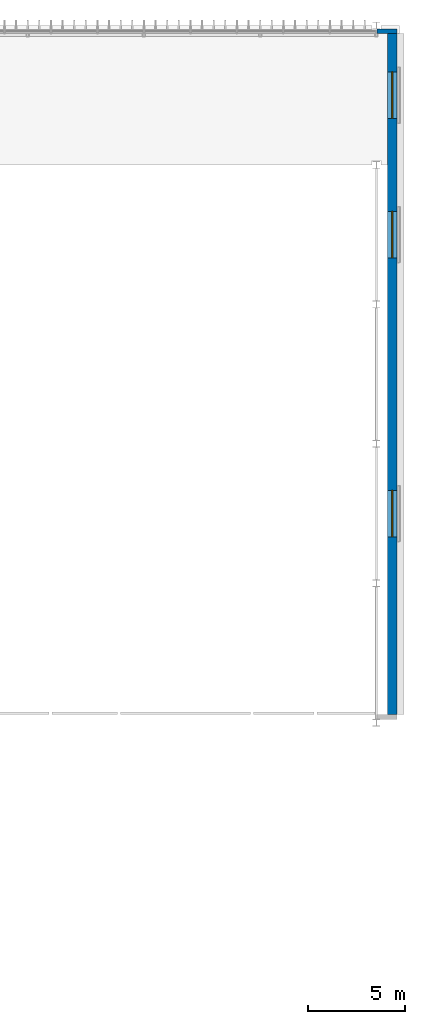
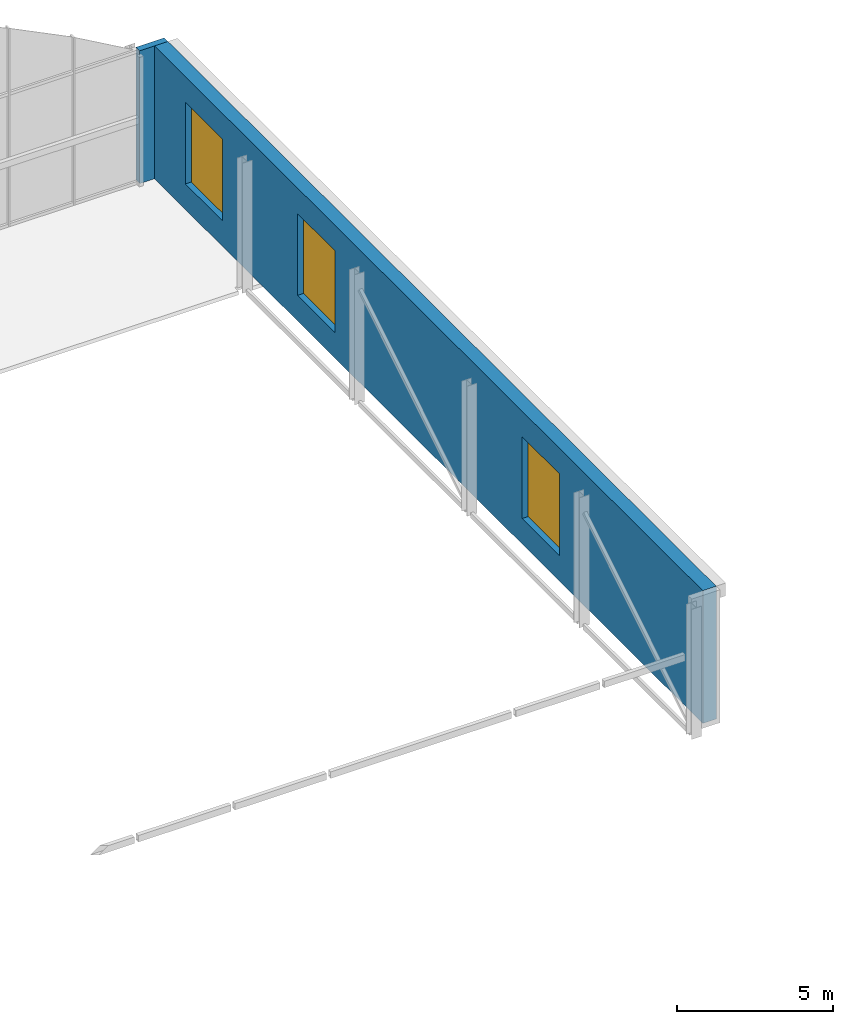
# One storey, part 59 of 93: 3 windows, 2 walls, 3 openings.
"""IFC4 building model written with IfcOpenShell, lengths in metres."""

import ifcopenshell
import ifcopenshell.guid

model = None  # the IFC model being written
_history = None  # IfcOwnerHistory: only IFC2X3 demands one
_inside = {}  # id of a spatial element -> (the spatial element, [elements in it])
_under = {}  # id of a project, library or spatial element -> (it, [spatial elements below it])
_declared = {}  # id of a project -> (the project, [libraries it declares])
_typed = {}  # id of a type object -> (the type object, [elements of that type])
_made_of = {}  # id of a material, layer set ... -> (it, [elements and type objects made of it])


def new_model(schema):
    """Start an empty IFC model of exactly this schema.

    Asked for "IFC4X3", IfcOpenShell would pick the latest addendum, in which some entities
    have other attributes; the version numbers below select the first issue.
    IFC2X3 requires an IfcOwnerHistory on every rooted entity: one is made here for all.
    """
    global model, _history
    if schema == "IFC4X3":
        model = ifcopenshell.file(schema_version=(4, 3, 0, 0))
    else:
        model = ifcopenshell.file(schema=schema)
    _inside.clear()
    _under.clear()
    _declared.clear()
    _typed.clear()
    _made_of.clear()
    _history = None
    if model.schema == "IFC2X3":
        org = make("IfcOrganization", Name="unknown")
        user = make(
            "IfcPersonAndOrganization",
            ThePerson=make("IfcPerson", FamilyName="unknown"),
            TheOrganization=org,
        )
        app = make(
            "IfcApplication",
            ApplicationDeveloper=org,
            Version="unknown",
            ApplicationFullName="unknown",
            ApplicationIdentifier="unknown",
        )
        _history = make(
            "IfcOwnerHistory",
            OwningUser=user,
            OwningApplication=app,
            ChangeAction="ADDED",
            CreationDate=0,
        )
    return model


def make(cls, **values):
    """One entity of the class cls with the attributes given. An attribute that is None is left unset."""
    return model.create_entity(
        cls, **{name: value for name, value in values.items() if value is not None}
    )


def rooted(cls, **values):
    """An entity with a GlobalId (a new one), such as an element, a storey or a relation."""
    return make(cls, GlobalId=ifcopenshell.guid.new(), OwnerHistory=_history, **values)


def si_unit(unit_type, name, prefix=None):
    """IfcSIUnit, for example si_unit("LENGTHUNIT", "METRE", prefix="MILLI")."""
    return make("IfcSIUnit", UnitType=unit_type, Prefix=prefix, Name=name)


def assignment(units):
    """IfcUnitAssignment: the units of a project."""
    return None if units is None else make("IfcUnitAssignment", Units=units)


def point(xyz):
    """IfcCartesianPoint."""
    return None if xyz is None else make("IfcCartesianPoint", Coordinates=xyz)


def direction(xyz):
    """IfcDirection."""
    return None if xyz is None else make("IfcDirection", DirectionRatios=xyz)


def frame(location, z_axis=None, x_axis=None):
    """IfcAxis2Placement3D, a coordinate frame: its origin and axes. An axis left out is left unset."""
    return make(
        "IfcAxis2Placement3D",
        Location=point(location),
        Axis=direction(z_axis),
        RefDirection=direction(x_axis),
    )


def frame_2d(location, x_axis=None):
    """IfcAxis2Placement2D, a coordinate frame in the plane: its origin and x axis."""
    return make(
        "IfcAxis2Placement2D", Location=point(location), RefDirection=direction(x_axis)
    )


def origin():
    """The frame at (0, 0, 0) with its axes left unset."""
    return frame((0.0, 0.0, 0.0))


def place(relative_to, where):
    """IfcLocalPlacement: puts the frame where relative to a parent placement (None: the world)."""
    return make(
        "IfcLocalPlacement", PlacementRelTo=relative_to, RelativePlacement=where
    )


def context(
    kind, dimensions, precision=None, world=None, true_north=None, identifier=None
):
    """IfcGeometricRepresentationContext, for example the 3D "Model" context."""
    return make(
        "IfcGeometricRepresentationContext",
        ContextIdentifier=identifier,
        ContextType=kind,
        CoordinateSpaceDimension=dimensions,
        Precision=precision,
        WorldCoordinateSystem=world,
        TrueNorth=true_north,
    )


def subcontext(parent, identifier, kind, view, scale=None):
    """IfcGeometricRepresentationSubContext, for example "Body" below "Model"."""
    return make(
        "IfcGeometricRepresentationSubContext",
        ContextIdentifier=identifier,
        ContextType=kind,
        ParentContext=parent,
        TargetScale=scale,
        TargetView=view,
    )


def project(units=None, contexts=None):
    """IfcProject with its units and contexts."""
    return rooted(
        "IfcProject",
        Name="project",
        RepresentationContexts=contexts,
        UnitsInContext=assignment(units),
    )


def spatial(cls, under=None, at=None, **own):
    """A site, building, storey or space (cls), placed at a placement, below another one or the project."""
    s = rooted(cls, ObjectPlacement=at, **own)
    if under is not None:
        _under.setdefault(under.id(), (under, []))[1].append(s)
    return s


def profile(cls, at=None, kind="AREA", **sizes):
    """A parametric profile (cls). Its sizes go by their IFC names, for example OverallWidth=200.0."""
    return make(cls, ProfileType=kind, Position=at, **sizes)


def rectangle(**sizes):
    """IfcRectangleProfileDef."""
    return profile("IfcRectangleProfileDef", **sizes)


def extrude(swept, where, along, depth):
    """IfcExtrudedAreaSolid: the profile swept, set in the frame where, extruded along a direction by depth."""
    return make(
        "IfcExtrudedAreaSolid",
        SweptArea=swept,
        Position=where,
        ExtrudedDirection=direction(along),
        Depth=depth,
    )


def shape(context_of_items, identifier, shape_type, items):
    """IfcShapeRepresentation: the items that make up one representation, for example the "Body"."""
    return make(
        "IfcShapeRepresentation",
        ContextOfItems=context_of_items,
        RepresentationIdentifier=identifier,
        RepresentationType=shape_type,
        Items=items,
    )


def material(Name=None, Category=None):
    """IfcMaterial."""
    return make("IfcMaterial", Name=Name, Category=Category)


def layer(
    of_material, thickness, ventilated=None, Name=None, Category=None, Priority=None
):
    """IfcMaterialLayer: one layer of a wall or slab, of a material (None: an air gap)."""
    return make(
        "IfcMaterialLayer",
        Material=of_material,
        LayerThickness=thickness,
        IsVentilated=ventilated,
        Name=Name,
        Category=Category,
        Priority=Priority,
    )


def layer_set(layers, Name=None):
    """IfcMaterialLayerSet."""
    return make("IfcMaterialLayerSet", MaterialLayers=layers, LayerSetName=Name)


def made_of(thing, what):
    """Note that an element or type object is made of a material, layer set ...; save() writes the relation."""
    if what is not None:
        _made_of.setdefault(what.id(), (what, []))[1].append(thing)
    return thing


def type_object(cls, material=None, **own):
    """A type object (cls), such as IfcWallType, which elements share."""
    return made_of(rooted(cls, **own), material)


def element(
    cls,
    number,
    at=None,
    inside=None,
    cuts=None,
    type_object=None,
    material=None,
    context=None,
    identifier="Body",
    shape_type=None,
    held_by="IfcProductDefinitionShape",
    body=None,
    shapes=None,
    **own,
):
    """One element of the class cls, such as IfcWall. Its Tag is "e" and its number.

    at: its placement. inside: the storey or other place that contains it. cuts: it is an
    opening in that element (IfcRelVoidsElement). A single representation is given by context,
    identifier, shape_type and body (its items); several are given by shapes. held_by: the class
    of the entity that holds the representations. save() writes the other relations.
    """
    e = rooted(cls, Tag="e%d" % number, ObjectPlacement=at, **own)
    if body is not None:
        shapes = [shape(context, identifier, shape_type, body)]
    if shapes is not None:
        e.Representation = make(held_by, Representations=shapes)
    if inside is not None:
        _inside.setdefault(inside.id(), (inside, []))[1].append(e)
    if cuts is not None:
        rooted(
            "IfcRelVoidsElement", RelatingBuildingElement=cuts, RelatedOpeningElement=e
        )
    if type_object is not None:
        _typed.setdefault(type_object.id(), (type_object, []))[1].append(e)
    return made_of(e, material)


def fill(opening, filler):
    """IfcRelFillsElement: the door or window that sits in an opening."""
    return rooted(
        "IfcRelFillsElement",
        RelatingOpeningElement=opening,
        RelatedBuildingElement=filler,
    )


def aggregate(whole, parts):
    """IfcRelAggregates: a whole, such as a stair, and the parts it consists of."""
    return rooted("IfcRelAggregates", RelatingObject=whole, RelatedObjects=parts)


def save(model, path):
    """Write the relations noted so far, then the file.

    IfcRelAggregates (storeys below a building ...), IfcRelContainedInSpatialStructure (elements
    in a storey), IfcRelDefinesByType, IfcRelAssociatesMaterial and IfcRelDeclares: one each for
    every whole, place, type object, material and project.
    """
    for whole, parts in _under.values():
        aggregate(whole, parts)
    for where, things in _inside.values():
        rooted(
            "IfcRelContainedInSpatialStructure",
            RelatedElements=things,
            RelatingStructure=where,
        )
    for kind, things in _typed.values():
        rooted("IfcRelDefinesByType", RelatedObjects=things, RelatingType=kind)
    for what, things in _made_of.values():
        rooted("IfcRelAssociatesMaterial", RelatedObjects=things, RelatingMaterial=what)
    for by, libraries in _declared.values():
        rooted("IfcRelDeclares", RelatingContext=by, RelatedDefinitions=libraries)
    model.write(path)


model = new_model("IFC4")

# Units and contexts
model_context = context("Model", 3, precision=1e-05, world=origin(), true_north=direction((0.0, 1.0)))
body_context = subcontext(model_context, "Body", "Model", "MODEL_VIEW")
ifc_project = project(units=[si_unit("LENGTHUNIT", "METRE"), si_unit("AREAUNIT", "SQUARE_METRE"), si_unit("VOLUMEUNIT", "CUBIC_METRE"), si_unit("PLANEANGLEUNIT", "RADIAN"), si_unit("MASSUNIT", "GRAM", prefix="KILO")], contexts=[model_context])

# Site, building, storey
site_placement = place(None, origin())
site = spatial("IfcSite", under=ifc_project, at=site_placement, CompositionType="ELEMENT")
building_placement = place(site_placement, origin())
building = spatial("IfcBuilding", under=site, at=building_placement, Name="Verrick Yard Athletic Hall", CompositionType="ELEMENT")
storey_placement = place(building_placement, frame((0.0, 0.0, 8.800048828125)))
storey = spatial("IfcBuildingStorey", under=building, at=storey_placement, Name="L02", CompositionType="ELEMENT", Elevation=8.800048828125)

# Wall
ifc_material_1 = material(Name="Tyndall-stone-look precast cladding", Category="masonry")
ifc_layer_1 = layer(ifc_material_1, 0.0625, Name="Tyndall-stone-look precast cladding")
ifc_material_2 = material(Name="Mineral wool insulation")
ifc_layer_2 = layer(ifc_material_2, 0.0625, Name="Mineral wool insulation")
ifc_material_3 = material(Name="Concrete 35 MPa", Category="concrete")
ifc_layer_3 = layer(ifc_material_3, 0.25, Name="Concrete 35 MPa")
ifc_layer_set_1 = layer_set([ifc_layer_1, ifc_layer_2, ifc_layer_3], Name="Gable base wall")
wall_type_1 = type_object("IfcWallType", Name="Gable base wall", PredefinedType="SOLIDWALL", material=ifc_layer_set_1)
wall_1_placement = place(storey_placement, frame((169.6298828125, 107.69873046875, 0.0), z_axis=(0.0, 0.0, 1.0), x_axis=(1.0, 0.0, 0.0)))
element("IfcWall", 1, at=wall_1_placement, inside=storey, type_object=wall_type_1, Name="ENVB-HAN-PIER-E-L02", PredefinedType="SOLIDWALL", context=body_context, shape_type="SweptSolid", body=[
    extrude(rectangle(XDim=1.045166015625, YDim=0.234375, at=frame_2d((0.5224609375, 0.0))), origin(), (0.0, 0.0, 1.0), 5.199951171875),
])

# Wall, openings, windows
ifc_material_4 = material(Name="Through-coloured mineral render, warm white")
ifc_layer_4 = layer(ifc_material_4, 0.125, Name="Through-coloured mineral render, warm white")
ifc_layer_5 = layer(ifc_material_2, 0.125, Name="Mineral wool insulation")
ifc_layer_6 = layer(ifc_material_3, 0.25, Name="Concrete 35 MPa")
ifc_layer_set_2 = layer_set([ifc_layer_4, ifc_layer_5, ifc_layer_6], Name="Hall upper wall")
wall_type_2 = type_object("IfcWallType", Name="Hall upper wall", PredefinedType="SOLIDWALL", material=ifc_layer_set_2)
wall_2_placement = place(storey_placement, frame((170.425048828125, 72.41845703125, 0.0), z_axis=(0.0, 0.0, 1.0), x_axis=(0.0, 1.0, 0.0)))
wall_2 = element("IfcWall", 2, at=wall_2_placement, inside=storey, type_object=wall_type_2, Name="ENVB-HA-E-L02", PredefinedType="SOLIDWALL", context=body_context, shape_type="SweptSolid", body=[
    extrude(rectangle(XDim=35.1630859375, YDim=0.5, at=frame_2d((17.58154296875, 0.0))), origin(), (0.0, 0.0, 1.0), 5.199951171875),
])
opening_1_placement = place(wall_2_placement, frame((9.1826171875, 0.0, 1.0)))
opening_1 = element("IfcOpeningElement", 3, at=opening_1_placement, cuts=wall_2, Name="Opening W26", PredefinedType="OPENING", context=body_context, shape_type="SweptSolid", body=[
    extrude(rectangle(XDim=2.39990234375, YDim=3.199951171875, at=frame_2d((1.199951171875, 1.60009765625))), frame((0.0, 0.260009765625, 0.0), z_axis=(0.0, -1.0, 0.0), x_axis=(1.0, 0.0, 0.0)), (0.0, 0.0, 1.0), 0.52001953125),
])
opening_2_placement = place(wall_2_placement, frame((23.58251953125, 0.0, 1.0)))
opening_2 = element("IfcOpeningElement", 4, at=opening_2_placement, cuts=wall_2, Name="Opening W26", PredefinedType="OPENING", context=body_context, shape_type="SweptSolid", body=[
    extrude(rectangle(XDim=2.39990234375, YDim=3.199951171875, at=frame_2d((1.199951171875, 1.60009765625))), frame((0.0, 0.260009765625, 0.0), z_axis=(0.0, -1.0, 0.0), x_axis=(1.0, 0.0, 0.0)), (0.0, 0.0, 1.0), 0.52001953125),
])
opening_3_placement = place(wall_2_placement, frame((30.782470703125, 0.0, 1.0)))
opening_3 = element("IfcOpeningElement", 5, at=opening_3_placement, cuts=wall_2, Name="Opening W26", PredefinedType="OPENING", context=body_context, shape_type="SweptSolid", body=[
    extrude(rectangle(XDim=2.39990234375, YDim=3.199951171875, at=frame_2d((1.199951171875, 1.60009765625))), frame((0.0, 0.260009765625, 0.0), z_axis=(0.0, -1.0, 0.0), x_axis=(1.0, 0.0, 0.0)), (0.0, 0.0, 1.0), 0.52001953125),
])
ifc_material_5 = material(Name="Anodised aluminium frame with insulated glazing", Category="aluminium")
window_type = type_object("IfcWindowType", Name="Hall window 2400x3200", PartitioningType="NOTDEFINED", PredefinedType="WINDOW", material=ifc_material_5)
window_1_placement = place(opening_1_placement, origin())
window_1 = element("IfcWindow", 6, at=window_1_placement, inside=storey, type_object=window_type, Name="ENVB-HA-E-L02-W2", OverallHeight=3.199951171875, OverallWidth=2.39990234375, PartitioningType="SINGLE_PANEL", PredefinedType="WINDOW", context=body_context, shape_type="SweptSolid", body=[
    extrude(rectangle(XDim=2.39990234375, YDim=3.199951171875, at=frame_2d((1.199951171875, 1.60009765625))), frame((0.0, 0.030029296875, 0.0), z_axis=(0.0, -1.0, 0.0), x_axis=(1.0, 0.0, 0.0)), (0.0, 0.0, 1.0), 0.06005859375),
])
fill(opening_1, window_1)
window_2_placement = place(opening_2_placement, origin())
window_2 = element("IfcWindow", 7, at=window_2_placement, inside=storey, type_object=window_type, Name="ENVB-HA-E-L02-W4", OverallHeight=3.199951171875, OverallWidth=2.39990234375, PartitioningType="SINGLE_PANEL", PredefinedType="WINDOW", context=body_context, shape_type="SweptSolid", body=[
    extrude(rectangle(XDim=2.39990234375, YDim=3.199951171875, at=frame_2d((1.199951171875, 1.60009765625))), frame((0.0, 0.030029296875, 0.0), z_axis=(0.0, -1.0, 0.0), x_axis=(1.0, 0.0, 0.0)), (0.0, 0.0, 1.0), 0.06005859375),
])
fill(opening_2, window_2)
window_3_placement = place(opening_3_placement, origin())
window_3 = element("IfcWindow", 8, at=window_3_placement, inside=storey, type_object=window_type, Name="ENVB-HA-E-L02-W5", OverallHeight=3.199951171875, OverallWidth=2.39990234375, PartitioningType="SINGLE_PANEL", PredefinedType="WINDOW", context=body_context, shape_type="SweptSolid", body=[
    extrude(rectangle(XDim=2.39990234375, YDim=3.199951171875, at=frame_2d((1.199951171875, 1.60009765625))), frame((0.0, 0.030029296875, 0.0), z_axis=(0.0, -1.0, 0.0), x_axis=(1.0, 0.0, 0.0)), (0.0, 0.0, 1.0), 0.06005859375),
])
fill(opening_3, window_3)

save(model, "model.ifc")
